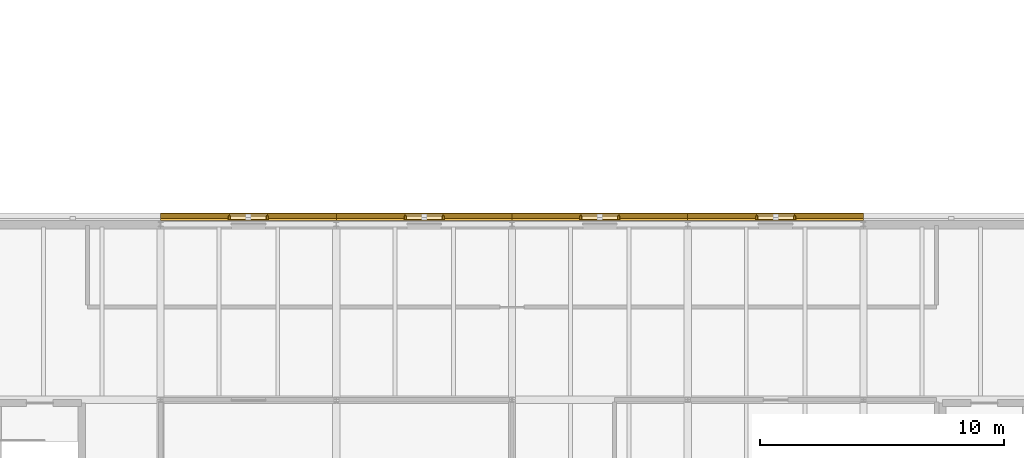
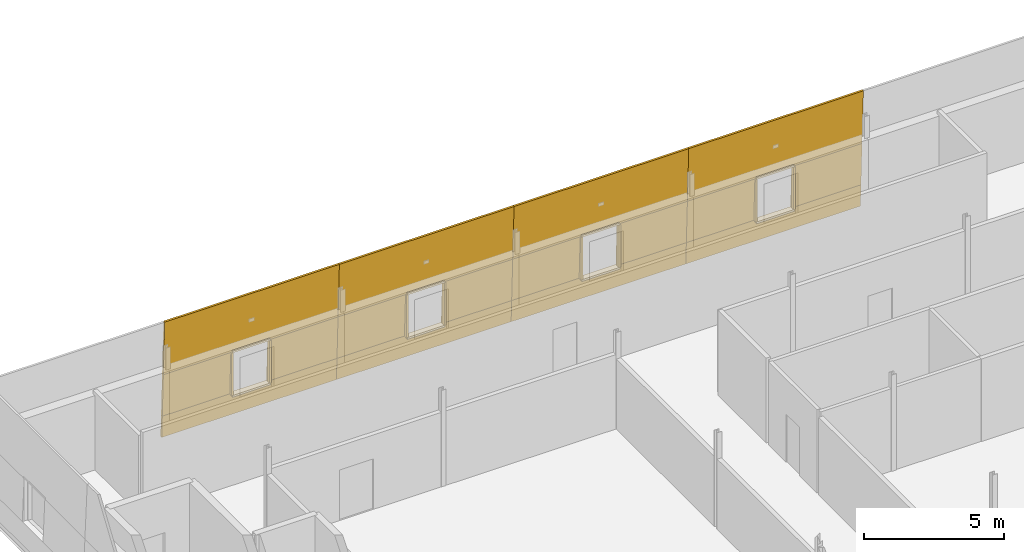
# One storey, part 90 of 91: 32 coverings.
"""IFC4 building model written with IfcOpenShell, lengths in metres."""

from ifc_helpers import new_model, si_unit, direction, frame, origin, place, context, subcontext, project, spatial, polyline, outline, extrude, material, layer, layer_set, type_object, element, save


model = new_model("IFC4")

# Units and contexts
model_context = context("Model", 3, precision=1e-05, world=origin(), true_north=direction((0.0, 1.0)))
body_context = subcontext(model_context, "Body", "Model", "MODEL_VIEW")
ifc_project = project(units=[si_unit("LENGTHUNIT", "METRE"), si_unit("AREAUNIT", "SQUARE_METRE"), si_unit("VOLUMEUNIT", "CUBIC_METRE"), si_unit("PLANEANGLEUNIT", "RADIAN"), si_unit("MASSUNIT", "GRAM", prefix="KILO")], contexts=[model_context])

# Site, building, storey
site_placement = place(None, origin())
site = spatial("IfcSite", under=ifc_project, at=site_placement, CompositionType="ELEMENT")
building_placement = place(site_placement, origin())
building = spatial("IfcBuilding", under=site, at=building_placement, Name="Narikvali Park Central Library", CompositionType="ELEMENT")
storey_placement = place(building_placement, frame((0.0, 0.0, 14.39990234375)))
storey = spatial("IfcBuildingStorey", under=building, at=storey_placement, Name="L03", CompositionType="ELEMENT", Elevation=14.39990234375)

# Coverings
ifc_material = material(Name="White Honed Limestone Cladding", Category="masonry")
ifc_layer_1 = layer(ifc_material, 0.0849609375, Name="White Honed Limestone Cladding")
ifc_layer_set_1 = layer_set([ifc_layer_1], Name="White Honed Limestone Cladding")
covering_type_1 = type_object("IfcCoveringType", Name="Battered White Limestone Facade Cladding Panel", PredefinedType="CLADDING", material=ifc_layer_set_1)
covering_1_placement = place(storey_placement, frame((158.39990234375, 29.250732421875, 0.0), z_axis=(0.0, 0.999166557991, 0.040818983227), x_axis=(-1.0, 0.0, 0.0)))
element("IfcCovering", 1, at=covering_1_placement, inside=storey, type_object=covering_type_1, Name="V6 L03 N Battered Limestone Spandrel B02", PredefinedType="CLADDING", context=body_context, shape_type="SweptSolid", body=[
    extrude(outline(polyline([(0.0, 0.0), (7.199951171875, 0.0), (7.199951171875, 0.9509879057703833), (0.0, 0.9509879057703833), (0.0, 0.0)])), origin(), (0.0, 0.0, -1.0), 0.0849609375),
])
covering_2_placement = place(storey_placement, frame((158.39990234375, 29.13623046875, 2.800048828125), z_axis=(0.0, 0.999163385357, 0.040896569066), x_axis=(-1.0, 0.0, 0.0)))
element("IfcCovering", 2, at=covering_2_placement, inside=storey, type_object=covering_type_1, Name="V6 L03 N Battered Limestone Lintel B02", PredefinedType="CLADDING", context=body_context, shape_type="SweptSolid", body=[
    extrude(outline(polyline([(0.0, 0.0), (7.199951171875, 0.0), (7.199951171875, 2.352065428628229), (0.0, 2.352065428628229), (0.0, 0.0)])), origin(), (0.0, 0.0, -1.0), 0.0849609375),
])
covering_3_placement = place(storey_placement, frame((158.39990234375, 29.2119140625, 0.9501953125), z_axis=(0.0, 0.999164100603, 0.040879090826), x_axis=(-1.0, 0.0, 0.0)))
element("IfcCovering", 3, at=covering_3_placement, inside=storey, type_object=covering_type_1, Name="V6 L03 N Battered Limestone Jamb Pier L B02", PredefinedType="CLADDING", context=body_context, shape_type="SweptSolid", body=[
    extrude(outline(polyline([(0.0, 0.0), (2.85986328125, 0.0), (2.85986328125, 1.8514011006891746), (0.0, 1.8514011006891746), (0.0, 0.0)])), origin(), (0.0, 0.0, -1.0), 0.0849609375),
])
covering_4_placement = place(storey_placement, frame((154.06005859375, 29.2119140625, 0.9501953125), z_axis=(0.0, 0.999164100603, 0.040879090826), x_axis=(-1.0, 0.0, 0.0)))
element("IfcCovering", 4, at=covering_4_placement, inside=storey, type_object=covering_type_1, Name="V6 L03 N Battered Limestone Jamb Pier R B02", PredefinedType="CLADDING", context=body_context, shape_type="SweptSolid", body=[
    extrude(outline(polyline([(0.0, 0.0), (2.860107421875, 0.0), (2.860107421875, 1.8514011006891744), (0.0, 1.8514011006891744), (0.0, 0.0)])), origin(), (0.0, 0.0, -1.0), 0.0849609375),
])
covering_5_placement = place(storey_placement, frame((151.199951171875, 29.250732421875, 0.0), z_axis=(0.0, 0.999166557991, 0.040818983227), x_axis=(-1.0, 0.0, 0.0)))
element("IfcCovering", 5, at=covering_5_placement, inside=storey, type_object=covering_type_1, Name="V6 L03 N Battered Limestone Spandrel B03", PredefinedType="CLADDING", context=body_context, shape_type="SweptSolid", body=[
    extrude(outline(polyline([(0.0, 0.0), (7.199951171875, 0.0), (7.199951171875, 0.9509879057703833), (0.0, 0.9509879057703833), (0.0, 0.0)])), origin(), (0.0, 0.0, -1.0), 0.0849609375),
])
covering_6_placement = place(storey_placement, frame((151.199951171875, 29.13623046875, 2.800048828125), z_axis=(0.0, 0.999163385357, 0.040896569066), x_axis=(-1.0, 0.0, 0.0)))
element("IfcCovering", 6, at=covering_6_placement, inside=storey, type_object=covering_type_1, Name="V6 L03 N Battered Limestone Lintel B03", PredefinedType="CLADDING", context=body_context, shape_type="SweptSolid", body=[
    extrude(outline(polyline([(0.0, 0.0), (7.199951171875, 0.0), (7.199951171875, 2.352065428628229), (0.0, 2.352065428628229), (0.0, 0.0)])), origin(), (0.0, 0.0, -1.0), 0.0849609375),
])
covering_7_placement = place(storey_placement, frame((151.199951171875, 29.2119140625, 0.9501953125), z_axis=(0.0, 0.999164100603, 0.040879090826), x_axis=(-1.0, 0.0, 0.0)))
element("IfcCovering", 7, at=covering_7_placement, inside=storey, type_object=covering_type_1, Name="V6 L03 N Battered Limestone Jamb Pier L B03", PredefinedType="CLADDING", context=body_context, shape_type="SweptSolid", body=[
    extrude(outline(polyline([(0.0, 0.0), (2.85986328125, 0.0), (2.85986328125, 1.8514011006891746), (0.0, 1.8514011006891746), (0.0, 0.0)])), origin(), (0.0, 0.0, -1.0), 0.0849609375),
])
covering_8_placement = place(storey_placement, frame((146.860107421875, 29.2119140625, 0.9501953125), z_axis=(0.0, 0.999164100603, 0.040879090826), x_axis=(-1.0, 0.0, 0.0)))
element("IfcCovering", 8, at=covering_8_placement, inside=storey, type_object=covering_type_1, Name="V6 L03 N Battered Limestone Jamb Pier R B03", PredefinedType="CLADDING", context=body_context, shape_type="SweptSolid", body=[
    extrude(outline(polyline([(0.0, 0.0), (2.860107421875, 0.0), (2.860107421875, 1.8514011006891744), (0.0, 1.8514011006891744), (0.0, 0.0)])), origin(), (0.0, 0.0, -1.0), 0.0849609375),
])
covering_9_placement = place(storey_placement, frame((144.0, 29.250732421875, 0.0), z_axis=(0.0, 0.999166557991, 0.040818983227), x_axis=(-1.0, 0.0, 0.0)))
element("IfcCovering", 9, at=covering_9_placement, inside=storey, type_object=covering_type_1, Name="V6 L03 N Battered Limestone Spandrel B04", PredefinedType="CLADDING", context=body_context, shape_type="SweptSolid", body=[
    extrude(outline(polyline([(0.0, 0.0), (7.199951171875, 0.0), (7.199951171875, 0.9509879057703833), (0.0, 0.9509879057703833), (0.0, 0.0)])), origin(), (0.0, 0.0, -1.0), 0.0849609375),
])
covering_10_placement = place(storey_placement, frame((144.0, 29.13623046875, 2.800048828125), z_axis=(0.0, 0.999163385357, 0.040896569066), x_axis=(-1.0, 0.0, 0.0)))
element("IfcCovering", 10, at=covering_10_placement, inside=storey, type_object=covering_type_1, Name="V6 L03 N Battered Limestone Lintel B04", PredefinedType="CLADDING", context=body_context, shape_type="SweptSolid", body=[
    extrude(outline(polyline([(0.0, 0.0), (7.199951171875, 0.0), (7.199951171875, 2.352065428628229), (0.0, 2.352065428628229), (0.0, 0.0)])), origin(), (0.0, 0.0, -1.0), 0.0849609375),
])
covering_11_placement = place(storey_placement, frame((144.0, 29.2119140625, 0.9501953125), z_axis=(0.0, 0.999164100603, 0.040879090826), x_axis=(-1.0, 0.0, 0.0)))
element("IfcCovering", 11, at=covering_11_placement, inside=storey, type_object=covering_type_1, Name="V6 L03 N Battered Limestone Jamb Pier L B04", PredefinedType="CLADDING", context=body_context, shape_type="SweptSolid", body=[
    extrude(outline(polyline([(0.0, 0.0), (2.860107421875, 0.0), (2.860107421875, 1.8514011006891744), (0.0, 1.8514011006891744), (0.0, 0.0)])), origin(), (0.0, 0.0, -1.0), 0.0849609375),
])
covering_12_placement = place(storey_placement, frame((139.659912109375, 29.2119140625, 0.9501953125), z_axis=(0.0, 0.999164100603, 0.040879090826), x_axis=(-1.0, 0.0, 0.0)))
element("IfcCovering", 12, at=covering_12_placement, inside=storey, type_object=covering_type_1, Name="V6 L03 N Battered Limestone Jamb Pier R B04", PredefinedType="CLADDING", context=body_context, shape_type="SweptSolid", body=[
    extrude(outline(polyline([(0.0, 0.0), (2.85986328125, 0.0), (2.85986328125, 1.8514011006891746), (0.0, 1.8514011006891746), (0.0, 0.0)])), origin(), (0.0, 0.0, -1.0), 0.0849609375),
])
covering_13_placement = place(storey_placement, frame((136.800048828125, 29.250732421875, 0.0), z_axis=(0.0, 0.999166557991, 0.040818983227), x_axis=(-1.0, 0.0, 0.0)))
element("IfcCovering", 13, at=covering_13_placement, inside=storey, type_object=covering_type_1, Name="V6 L03 N Battered Limestone Spandrel B05", PredefinedType="CLADDING", context=body_context, shape_type="SweptSolid", body=[
    extrude(outline(polyline([(0.0, 0.0), (7.199951171875, 0.0), (7.199951171875, 0.9509879057703833), (0.0, 0.9509879057703833), (0.0, 0.0)])), origin(), (0.0, 0.0, -1.0), 0.0849609375),
])
covering_14_placement = place(storey_placement, frame((136.800048828125, 29.13623046875, 2.800048828125), z_axis=(0.0, 0.999163385357, 0.040896569066), x_axis=(-1.0, 0.0, 0.0)))
element("IfcCovering", 14, at=covering_14_placement, inside=storey, type_object=covering_type_1, Name="V6 L03 N Battered Limestone Lintel B05", PredefinedType="CLADDING", context=body_context, shape_type="SweptSolid", body=[
    extrude(outline(polyline([(0.0, 0.0), (7.199951171875, 0.0), (7.199951171875, 2.352065428628229), (0.0, 2.352065428628229), (0.0, 0.0)])), origin(), (0.0, 0.0, -1.0), 0.0849609375),
])
covering_15_placement = place(storey_placement, frame((136.800048828125, 29.2119140625, 0.9501953125), z_axis=(0.0, 0.999164100603, 0.040879090826), x_axis=(-1.0, 0.0, 0.0)))
element("IfcCovering", 15, at=covering_15_placement, inside=storey, type_object=covering_type_1, Name="V6 L03 N Battered Limestone Jamb Pier L B05", PredefinedType="CLADDING", context=body_context, shape_type="SweptSolid", body=[
    extrude(outline(polyline([(0.0, 0.0), (2.860107421875, 0.0), (2.860107421875, 1.8514011006891744), (0.0, 1.8514011006891744), (0.0, 0.0)])), origin(), (0.0, 0.0, -1.0), 0.0849609375),
])
covering_16_placement = place(storey_placement, frame((132.4599609375, 29.2119140625, 0.9501953125), z_axis=(0.0, 0.999164100603, 0.040879090826), x_axis=(-1.0, 0.0, 0.0)))
element("IfcCovering", 16, at=covering_16_placement, inside=storey, type_object=covering_type_1, Name="V6 L03 N Battered Limestone Jamb Pier R B05", PredefinedType="CLADDING", context=body_context, shape_type="SweptSolid", body=[
    extrude(outline(polyline([(0.0, 0.0), (2.85986328125, 0.0), (2.85986328125, 1.8514011006891746), (0.0, 1.8514011006891746), (0.0, 0.0)])), origin(), (0.0, 0.0, -1.0), 0.0849609375),
])
ifc_layer_2 = layer(ifc_material, 0.080078125, Name="White Honed Limestone Cladding")
ifc_layer_set_2 = layer_set([ifc_layer_2], Name="White Honed Limestone Cladding")
covering_type_2 = type_object("IfcCoveringType", Name="Deep Carved White Limestone Window Reveal", PredefinedType="CLADDING", material=ifc_layer_set_2)
covering_17_placement = place(storey_placement, frame((0.0, 0.0, 2.800048828125)))
element("IfcCovering", 17, at=covering_17_placement, inside=storey, type_object=covering_type_2, Name="Deep Stone Reveal Head V6-RVL-L03-N-B02", PredefinedType="CLADDING", context=body_context, shape_type="SweptSolid", body=[
    extrude(outline(polyline([(155.580078125, 28.985107421875), (154.02001953125, 28.985107421875), (154.02001953125, 29.13623046875), (155.580078125, 29.13623046875), (155.580078125, 28.985107421875)])), origin(), (0.0, 0.0, 1.0), 0.080078125),
])
covering_18_placement = place(storey_placement, frame((0.0, 0.0, 0.8701171875)))
element("IfcCovering", 18, at=covering_18_placement, inside=storey, type_object=covering_type_2, Name="Deep Stone Reveal Sill V6-RVL-L03-N-B02", PredefinedType="CLADDING", context=body_context, shape_type="SweptSolid", body=[
    extrude(outline(polyline([(155.580078125, 28.985107421875), (154.02001953125, 28.985107421875), (154.02001953125, 29.2119140625), (155.580078125, 29.2119140625), (155.580078125, 28.985107421875)])), origin(), (0.0, 0.0, 1.0), 0.080078125),
])
covering_19_placement = place(storey_placement, frame((0.0, 0.0, 0.9501953125)))
element("IfcCovering", 19, at=covering_19_placement, inside=storey, type_object=covering_type_2, Name="Deep Stone Reveal Jamb L V6-RVL-L03-N-B02", PredefinedType="CLADDING", context=body_context, shape_type="SweptSolid", body=[
    extrude(outline(polyline([(155.6201171875, 28.985107421875), (155.5400390625, 28.985107421875), (155.5400390625, 29.13623046875), (155.6201171875, 29.13623046875), (155.6201171875, 28.985107421875)])), origin(), (0.0, 0.0, 1.0), 1.849853515625),
])
covering_20_placement = place(storey_placement, frame((0.0, 0.0, 0.9501953125)))
element("IfcCovering", 20, at=covering_20_placement, inside=storey, type_object=covering_type_2, Name="Deep Stone Reveal Jamb R V6-RVL-L03-N-B02", PredefinedType="CLADDING", context=body_context, shape_type="SweptSolid", body=[
    extrude(outline(polyline([(154.06005859375, 28.985107421875), (153.97998046875, 28.985107421875), (153.97998046875, 29.13623046875), (154.06005859375, 29.13623046875), (154.06005859375, 28.985107421875)])), origin(), (0.0, 0.0, 1.0), 1.849853515625),
])
covering_21_placement = place(storey_placement, frame((0.0, 0.0, 2.800048828125)))
element("IfcCovering", 21, at=covering_21_placement, inside=storey, type_object=covering_type_2, Name="Deep Stone Reveal Head V6-RVL-L03-N-B03", PredefinedType="CLADDING", context=body_context, shape_type="SweptSolid", body=[
    extrude(outline(polyline([(148.3798828125, 28.985107421875), (146.820068359375, 28.985107421875), (146.820068359375, 29.13623046875), (148.3798828125, 29.13623046875), (148.3798828125, 28.985107421875)])), origin(), (0.0, 0.0, 1.0), 0.080078125),
])
covering_22_placement = place(storey_placement, frame((0.0, 0.0, 0.8701171875)))
element("IfcCovering", 22, at=covering_22_placement, inside=storey, type_object=covering_type_2, Name="Deep Stone Reveal Sill V6-RVL-L03-N-B03", PredefinedType="CLADDING", context=body_context, shape_type="SweptSolid", body=[
    extrude(outline(polyline([(148.3798828125, 28.985107421875), (146.820068359375, 28.985107421875), (146.820068359375, 29.2119140625), (148.3798828125, 29.2119140625), (148.3798828125, 28.985107421875)])), origin(), (0.0, 0.0, 1.0), 0.080078125),
])
covering_23_placement = place(storey_placement, frame((0.0, 0.0, 0.9501953125)))
element("IfcCovering", 23, at=covering_23_placement, inside=storey, type_object=covering_type_2, Name="Deep Stone Reveal Jamb L V6-RVL-L03-N-B03", PredefinedType="CLADDING", context=body_context, shape_type="SweptSolid", body=[
    extrude(outline(polyline([(148.419921875, 28.985107421875), (148.340087890625, 28.985107421875), (148.340087890625, 29.13623046875), (148.419921875, 29.13623046875), (148.419921875, 28.985107421875)])), origin(), (0.0, 0.0, 1.0), 1.849853515625),
])
covering_24_placement = place(storey_placement, frame((0.0, 0.0, 0.9501953125)))
element("IfcCovering", 24, at=covering_24_placement, inside=storey, type_object=covering_type_2, Name="Deep Stone Reveal Jamb R V6-RVL-L03-N-B03", PredefinedType="CLADDING", context=body_context, shape_type="SweptSolid", body=[
    extrude(outline(polyline([(146.860107421875, 28.985107421875), (146.780029296875, 28.985107421875), (146.780029296875, 29.13623046875), (146.860107421875, 29.13623046875), (146.860107421875, 28.985107421875)])), origin(), (0.0, 0.0, 1.0), 1.849853515625),
])
covering_25_placement = place(storey_placement, frame((0.0, 0.0, 2.800048828125)))
element("IfcCovering", 25, at=covering_25_placement, inside=storey, type_object=covering_type_2, Name="Deep Stone Reveal Head V6-RVL-L03-N-B04", PredefinedType="CLADDING", context=body_context, shape_type="SweptSolid", body=[
    extrude(outline(polyline([(141.179931640625, 28.985107421875), (139.6201171875, 28.985107421875), (139.6201171875, 29.13623046875), (141.179931640625, 29.13623046875), (141.179931640625, 28.985107421875)])), origin(), (0.0, 0.0, 1.0), 0.080078125),
])
covering_26_placement = place(storey_placement, frame((0.0, 0.0, 0.8701171875)))
element("IfcCovering", 26, at=covering_26_placement, inside=storey, type_object=covering_type_2, Name="Deep Stone Reveal Sill V6-RVL-L03-N-B04", PredefinedType="CLADDING", context=body_context, shape_type="SweptSolid", body=[
    extrude(outline(polyline([(141.179931640625, 28.985107421875), (139.6201171875, 28.985107421875), (139.6201171875, 29.2119140625), (141.179931640625, 29.2119140625), (141.179931640625, 28.985107421875)])), origin(), (0.0, 0.0, 1.0), 0.080078125),
])
covering_27_placement = place(storey_placement, frame((0.0, 0.0, 0.9501953125)))
element("IfcCovering", 27, at=covering_27_placement, inside=storey, type_object=covering_type_2, Name="Deep Stone Reveal Jamb L V6-RVL-L03-N-B04", PredefinedType="CLADDING", context=body_context, shape_type="SweptSolid", body=[
    extrude(outline(polyline([(141.219970703125, 28.985107421875), (141.139892578125, 28.985107421875), (141.139892578125, 29.13623046875), (141.219970703125, 29.13623046875), (141.219970703125, 28.985107421875)])), origin(), (0.0, 0.0, 1.0), 1.849853515625),
])
covering_28_placement = place(storey_placement, frame((0.0, 0.0, 0.9501953125)))
element("IfcCovering", 28, at=covering_28_placement, inside=storey, type_object=covering_type_2, Name="Deep Stone Reveal Jamb R V6-RVL-L03-N-B04", PredefinedType="CLADDING", context=body_context, shape_type="SweptSolid", body=[
    extrude(outline(polyline([(139.659912109375, 28.985107421875), (139.580078125, 28.985107421875), (139.580078125, 29.13623046875), (139.659912109375, 29.13623046875), (139.659912109375, 28.985107421875)])), origin(), (0.0, 0.0, 1.0), 1.849853515625),
])
covering_29_placement = place(storey_placement, frame((0.0, 0.0, 2.800048828125)))
element("IfcCovering", 29, at=covering_29_placement, inside=storey, type_object=covering_type_2, Name="Deep Stone Reveal Head V6-RVL-L03-N-B05", PredefinedType="CLADDING", context=body_context, shape_type="SweptSolid", body=[
    extrude(outline(polyline([(133.97998046875, 28.985107421875), (132.419921875, 28.985107421875), (132.419921875, 29.13623046875), (133.97998046875, 29.13623046875), (133.97998046875, 28.985107421875)])), origin(), (0.0, 0.0, 1.0), 0.080078125),
])
covering_30_placement = place(storey_placement, frame((0.0, 0.0, 0.8701171875)))
element("IfcCovering", 30, at=covering_30_placement, inside=storey, type_object=covering_type_2, Name="Deep Stone Reveal Sill V6-RVL-L03-N-B05", PredefinedType="CLADDING", context=body_context, shape_type="SweptSolid", body=[
    extrude(outline(polyline([(133.97998046875, 28.985107421875), (132.419921875, 28.985107421875), (132.419921875, 29.2119140625), (133.97998046875, 29.2119140625), (133.97998046875, 28.985107421875)])), origin(), (0.0, 0.0, 1.0), 0.080078125),
])
covering_31_placement = place(storey_placement, frame((0.0, 0.0, 0.9501953125)))
element("IfcCovering", 31, at=covering_31_placement, inside=storey, type_object=covering_type_2, Name="Deep Stone Reveal Jamb L V6-RVL-L03-N-B05", PredefinedType="CLADDING", context=body_context, shape_type="SweptSolid", body=[
    extrude(outline(polyline([(134.02001953125, 28.985107421875), (133.93994140625, 28.985107421875), (133.93994140625, 29.13623046875), (134.02001953125, 29.13623046875), (134.02001953125, 28.985107421875)])), origin(), (0.0, 0.0, 1.0), 1.849853515625),
])
covering_32_placement = place(storey_placement, frame((0.0, 0.0, 0.9501953125)))
element("IfcCovering", 32, at=covering_32_placement, inside=storey, type_object=covering_type_2, Name="Deep Stone Reveal Jamb R V6-RVL-L03-N-B05", PredefinedType="CLADDING", context=body_context, shape_type="SweptSolid", body=[
    extrude(outline(polyline([(132.4599609375, 28.985107421875), (132.3798828125, 28.985107421875), (132.3798828125, 29.13623046875), (132.4599609375, 29.13623046875), (132.4599609375, 28.985107421875)])), origin(), (0.0, 0.0, 1.0), 1.849853515625),
])

save(model, "model.ifc")
